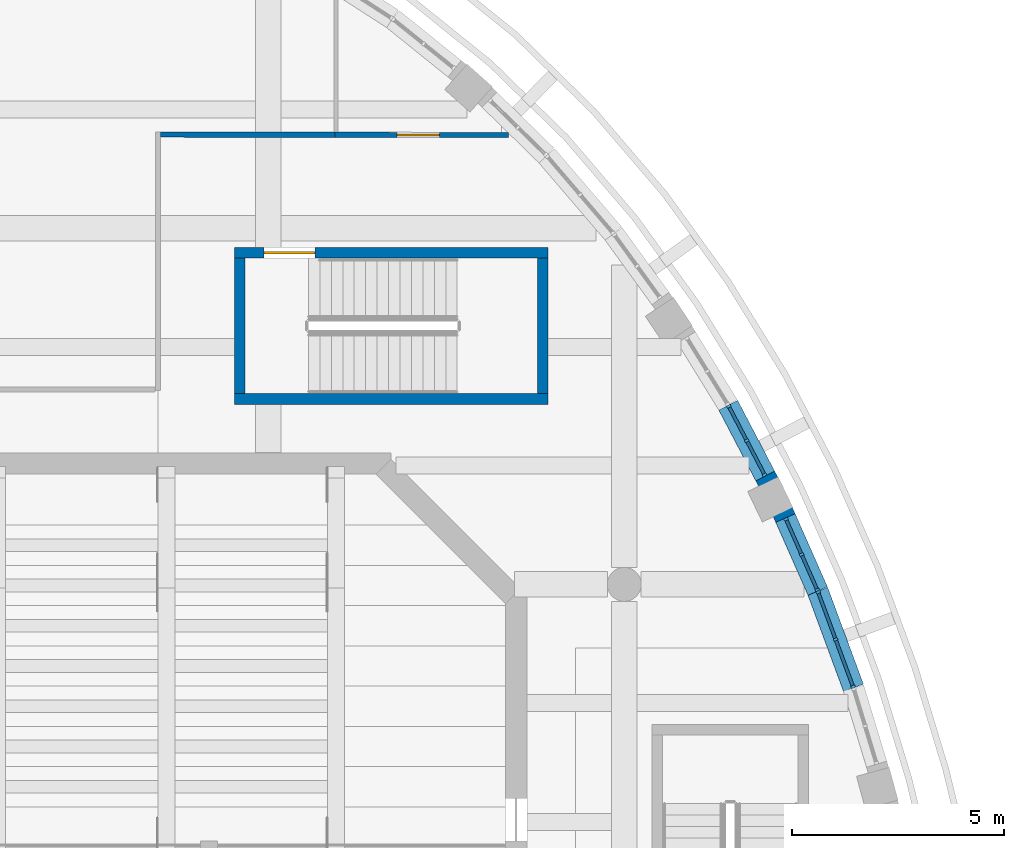
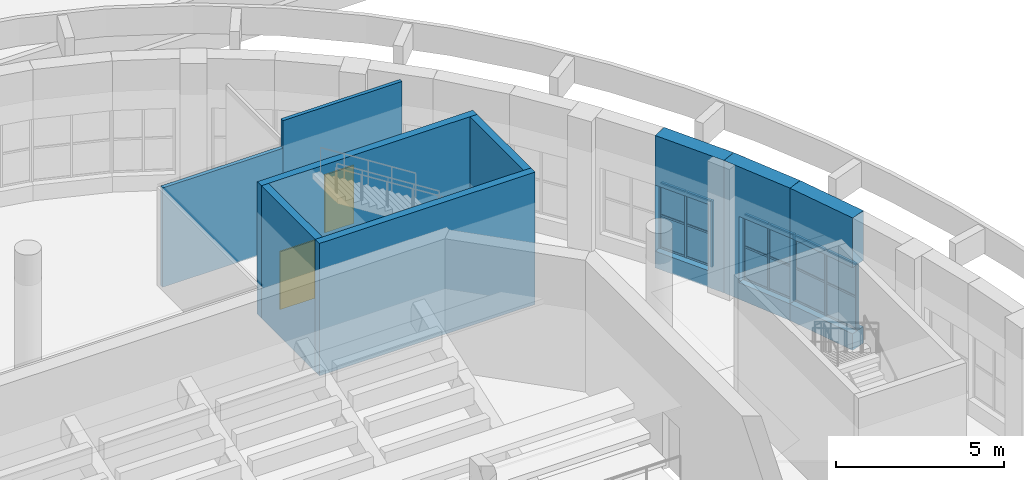
# One storey, part 33 of 79: 27 members, 12 plates, 9 walls, 2 doors, 5 openings, 3 elements without a shape of their own.
"""IFC4 building model written with IfcOpenShell, lengths in metres."""

import ifcopenshell
import ifcopenshell.guid

model = None  # the IFC model being written
_history = None  # IfcOwnerHistory: only IFC2X3 demands one
_inside = {}  # id of a spatial element -> (the spatial element, [elements in it])
_under = {}  # id of a project, library or spatial element -> (it, [spatial elements below it])
_declared = {}  # id of a project -> (the project, [libraries it declares])
_typed = {}  # id of a type object -> (the type object, [elements of that type])
_made_of = {}  # id of a material, layer set ... -> (it, [elements and type objects made of it])


def new_model(schema):
    """Start an empty IFC model of exactly this schema.

    Asked for "IFC4X3", IfcOpenShell would pick the latest addendum, in which some entities
    have other attributes; the version numbers below select the first issue.
    IFC2X3 requires an IfcOwnerHistory on every rooted entity: one is made here for all.
    """
    global model, _history
    if schema == "IFC4X3":
        model = ifcopenshell.file(schema_version=(4, 3, 0, 0))
    else:
        model = ifcopenshell.file(schema=schema)
    _inside.clear()
    _under.clear()
    _declared.clear()
    _typed.clear()
    _made_of.clear()
    _history = None
    if model.schema == "IFC2X3":
        org = make("IfcOrganization", Name="unknown")
        user = make(
            "IfcPersonAndOrganization",
            ThePerson=make("IfcPerson", FamilyName="unknown"),
            TheOrganization=org,
        )
        app = make(
            "IfcApplication",
            ApplicationDeveloper=org,
            Version="unknown",
            ApplicationFullName="unknown",
            ApplicationIdentifier="unknown",
        )
        _history = make(
            "IfcOwnerHistory",
            OwningUser=user,
            OwningApplication=app,
            ChangeAction="ADDED",
            CreationDate=0,
        )
    return model


def make(cls, **values):
    """One entity of the class cls with the attributes given. An attribute that is None is left unset."""
    return model.create_entity(
        cls, **{name: value for name, value in values.items() if value is not None}
    )


def rooted(cls, **values):
    """An entity with a GlobalId (a new one), such as an element, a storey or a relation."""
    return make(cls, GlobalId=ifcopenshell.guid.new(), OwnerHistory=_history, **values)


def si_unit(unit_type, name, prefix=None):
    """IfcSIUnit, for example si_unit("LENGTHUNIT", "METRE", prefix="MILLI")."""
    return make("IfcSIUnit", UnitType=unit_type, Prefix=prefix, Name=name)


def assignment(units):
    """IfcUnitAssignment: the units of a project."""
    return None if units is None else make("IfcUnitAssignment", Units=units)


def point(xyz):
    """IfcCartesianPoint."""
    return None if xyz is None else make("IfcCartesianPoint", Coordinates=xyz)


def direction(xyz):
    """IfcDirection."""
    return None if xyz is None else make("IfcDirection", DirectionRatios=xyz)


def frame(location, z_axis=None, x_axis=None):
    """IfcAxis2Placement3D, a coordinate frame: its origin and axes. An axis left out is left unset."""
    return make(
        "IfcAxis2Placement3D",
        Location=point(location),
        Axis=direction(z_axis),
        RefDirection=direction(x_axis),
    )


def frame_2d(location, x_axis=None):
    """IfcAxis2Placement2D, a coordinate frame in the plane: its origin and x axis."""
    return make(
        "IfcAxis2Placement2D", Location=point(location), RefDirection=direction(x_axis)
    )


def origin():
    """The frame at (0, 0, 0) with its axes left unset."""
    return frame((0.0, 0.0, 0.0))


def origin_2d():
    """The frame at (0, 0) in the plane with its x axis left unset."""
    return frame_2d((0.0, 0.0))


def place(relative_to, where):
    """IfcLocalPlacement: puts the frame where relative to a parent placement (None: the world)."""
    return make(
        "IfcLocalPlacement", PlacementRelTo=relative_to, RelativePlacement=where
    )


def context(
    kind, dimensions, precision=None, world=None, true_north=None, identifier=None
):
    """IfcGeometricRepresentationContext, for example the 3D "Model" context."""
    return make(
        "IfcGeometricRepresentationContext",
        ContextIdentifier=identifier,
        ContextType=kind,
        CoordinateSpaceDimension=dimensions,
        Precision=precision,
        WorldCoordinateSystem=world,
        TrueNorth=true_north,
    )


def subcontext(parent, identifier, kind, view, scale=None):
    """IfcGeometricRepresentationSubContext, for example "Body" below "Model"."""
    return make(
        "IfcGeometricRepresentationSubContext",
        ContextIdentifier=identifier,
        ContextType=kind,
        ParentContext=parent,
        TargetScale=scale,
        TargetView=view,
    )


def project(units=None, contexts=None):
    """IfcProject with its units and contexts."""
    return rooted(
        "IfcProject",
        Name="project",
        RepresentationContexts=contexts,
        UnitsInContext=assignment(units),
    )


def spatial(cls, under=None, at=None, **own):
    """A site, building, storey or space (cls), placed at a placement, below another one or the project."""
    s = rooted(cls, ObjectPlacement=at, **own)
    if under is not None:
        _under.setdefault(under.id(), (under, []))[1].append(s)
    return s


def profile(cls, at=None, kind="AREA", **sizes):
    """A parametric profile (cls). Its sizes go by their IFC names, for example OverallWidth=200.0."""
    return make(cls, ProfileType=kind, Position=at, **sizes)


def rectangle(**sizes):
    """IfcRectangleProfileDef."""
    return profile("IfcRectangleProfileDef", **sizes)


def extrude(swept, where, along, depth):
    """IfcExtrudedAreaSolid: the profile swept, set in the frame where, extruded along a direction by depth."""
    return make(
        "IfcExtrudedAreaSolid",
        SweptArea=swept,
        Position=where,
        ExtrudedDirection=direction(along),
        Depth=depth,
    )


def shape(context_of_items, identifier, shape_type, items):
    """IfcShapeRepresentation: the items that make up one representation, for example the "Body"."""
    return make(
        "IfcShapeRepresentation",
        ContextOfItems=context_of_items,
        RepresentationIdentifier=identifier,
        RepresentationType=shape_type,
        Items=items,
    )


def material(Name=None, Category=None):
    """IfcMaterial."""
    return make("IfcMaterial", Name=Name, Category=Category)


def layer(
    of_material, thickness, ventilated=None, Name=None, Category=None, Priority=None
):
    """IfcMaterialLayer: one layer of a wall or slab, of a material (None: an air gap)."""
    return make(
        "IfcMaterialLayer",
        Material=of_material,
        LayerThickness=thickness,
        IsVentilated=ventilated,
        Name=Name,
        Category=Category,
        Priority=Priority,
    )


def layer_set(layers, Name=None):
    """IfcMaterialLayerSet."""
    return make("IfcMaterialLayerSet", MaterialLayers=layers, LayerSetName=Name)


def material_profile(
    of_material, cross_section, Name=None, Category=None, Priority=None
):
    """IfcMaterialProfile: a cross section and its material."""
    return make(
        "IfcMaterialProfile",
        Name=Name,
        Material=of_material,
        Profile=cross_section,
        Priority=Priority,
        Category=Category,
    )


def profile_set(profiles, Name=None, composite=None):
    """IfcMaterialProfileSet."""
    return make(
        "IfcMaterialProfileSet",
        Name=Name,
        MaterialProfiles=profiles,
        CompositeProfile=composite,
    )


def made_of(thing, what):
    """Note that an element or type object is made of a material, layer set ...; save() writes the relation."""
    if what is not None:
        _made_of.setdefault(what.id(), (what, []))[1].append(thing)
    return thing


def type_object(cls, material=None, **own):
    """A type object (cls), such as IfcWallType, which elements share."""
    return made_of(rooted(cls, **own), material)


def element(
    cls,
    number,
    at=None,
    inside=None,
    cuts=None,
    type_object=None,
    material=None,
    context=None,
    identifier="Body",
    shape_type=None,
    held_by="IfcProductDefinitionShape",
    body=None,
    shapes=None,
    **own,
):
    """One element of the class cls, such as IfcWall. Its Tag is "e" and its number.

    at: its placement. inside: the storey or other place that contains it. cuts: it is an
    opening in that element (IfcRelVoidsElement). A single representation is given by context,
    identifier, shape_type and body (its items); several are given by shapes. held_by: the class
    of the entity that holds the representations. save() writes the other relations.
    """
    e = rooted(cls, Tag="e%d" % number, ObjectPlacement=at, **own)
    if body is not None:
        shapes = [shape(context, identifier, shape_type, body)]
    if shapes is not None:
        e.Representation = make(held_by, Representations=shapes)
    if inside is not None:
        _inside.setdefault(inside.id(), (inside, []))[1].append(e)
    if cuts is not None:
        rooted(
            "IfcRelVoidsElement", RelatingBuildingElement=cuts, RelatedOpeningElement=e
        )
    if type_object is not None:
        _typed.setdefault(type_object.id(), (type_object, []))[1].append(e)
    return made_of(e, material)


def fill(opening, filler):
    """IfcRelFillsElement: the door or window that sits in an opening."""
    return rooted(
        "IfcRelFillsElement",
        RelatingOpeningElement=opening,
        RelatedBuildingElement=filler,
    )


def aggregate(whole, parts):
    """IfcRelAggregates: a whole, such as a stair, and the parts it consists of."""
    return rooted("IfcRelAggregates", RelatingObject=whole, RelatedObjects=parts)


def save(model, path):
    """Write the relations noted so far, then the file.

    IfcRelAggregates (storeys below a building ...), IfcRelContainedInSpatialStructure (elements
    in a storey), IfcRelDefinesByType, IfcRelAssociatesMaterial and IfcRelDeclares: one each for
    every whole, place, type object, material and project.
    """
    for whole, parts in _under.values():
        aggregate(whole, parts)
    for where, things in _inside.values():
        rooted(
            "IfcRelContainedInSpatialStructure",
            RelatedElements=things,
            RelatingStructure=where,
        )
    for kind, things in _typed.values():
        rooted("IfcRelDefinesByType", RelatedObjects=things, RelatingType=kind)
    for what, things in _made_of.values():
        rooted("IfcRelAssociatesMaterial", RelatedObjects=things, RelatingMaterial=what)
    for by, libraries in _declared.values():
        rooted("IfcRelDeclares", RelatingContext=by, RelatedDefinitions=libraries)
    model.write(path)


model = new_model("IFC4")

# Units and contexts
model_context = context("Model", 3, precision=1e-05, world=origin(), true_north=direction((0.0, 1.0)))
body_context = subcontext(model_context, "Body", "Model", "MODEL_VIEW")
ifc_project = project(units=[si_unit("LENGTHUNIT", "METRE"), si_unit("AREAUNIT", "SQUARE_METRE"), si_unit("VOLUMEUNIT", "CUBIC_METRE"), si_unit("PLANEANGLEUNIT", "RADIAN"), si_unit("MASSUNIT", "GRAM", prefix="KILO")], contexts=[model_context])

# Site, building, storey
site_placement = place(None, origin())
site = spatial("IfcSite", under=ifc_project, at=site_placement, CompositionType="ELEMENT")
building_placement = place(site_placement, origin())
building = spatial("IfcBuilding", under=site, at=building_placement, Name="Larchfold Concert Hall", CompositionType="ELEMENT")
storey_placement = place(building_placement, frame((0.0, 0.0, 14.39990234375)))
storey = spatial("IfcBuildingStorey", under=building, at=storey_placement, Name="L03", CompositionType="ELEMENT", Elevation=14.39990234375)

# Curtain wall, members
ifc_material_1 = material(Name="Anodised graphite aluminium curtain wall", Category="aluminium")
ifc_layer_1 = layer(ifc_material_1, 0.10009765625)
ifc_layer_set_1 = layer_set([ifc_layer_1], Name="Anodised graphite aluminium curtain wall")
curtain_wall_type = type_object("IfcCurtainWallType", Name="Curtain wall GB", PredefinedType="NOTDEFINED", material=ifc_layer_set_1)
curtain_wall_1_placement = place(storey_placement, origin())
curtain_wall_1 = element("IfcCurtainWall", 1, at=curtain_wall_1_placement, inside=storey, type_object=curtain_wall_type, Name="Curtain wall CW0007", PredefinedType="NOTDEFINED")
ifc_material_2 = material(Name="Anodised graphite aluminium mullion", Category="aluminium")
ifc_material_profile_1 = material_profile(ifc_material_2, rectangle(XDim=0.10009765625, YDim=0.06005859375, at=origin_2d()))
ifc_profile_set_1 = profile_set([ifc_material_profile_1], Name="Anodised graphite aluminium mullion")
member_type_1 = type_object("IfcMemberType", Name="Aluminium mullion 60x100", PredefinedType="MULLION", material=ifc_profile_set_1)
member_1_placement = place(storey_placement, frame((64.797119140625, 98.98828125, 0.60009765625), z_axis=(0.0, 0.0, 1.0), x_axis=(-0.938020731577, -0.34657914988, 0.0)))
member_1 = element("IfcMember", 2, at=member_1_placement, type_object=member_type_1, Name="CW0007 mullion 1", PredefinedType="MULLION", context=body_context, shape_type="SweptSolid", body=[
    extrude(rectangle(XDim=0.10009765625, YDim=0.06005859375, at=origin_2d()), origin(), (0.0, 0.0, 1.0), 2.39990234375),
])
member_2_placement = place(storey_placement, frame((64.385986328125, 100.1015625, 0.60009765625), z_axis=(0.0, 0.0, 1.0), x_axis=(-0.938020731577, -0.34657914988, 0.0)))
member_2 = element("IfcMember", 3, at=member_2_placement, type_object=member_type_1, Name="CW0007 mullion 2", PredefinedType="MULLION", context=body_context, shape_type="SweptSolid", body=[
    extrude(rectangle(XDim=0.10009765625, YDim=0.06005859375, at=origin_2d()), origin(), (0.0, 0.0, 1.0), 2.39990234375),
])
member_3_placement = place(storey_placement, frame((63.974609375, 101.215087890625, 0.60009765625), z_axis=(0.0, 0.0, 1.0), x_axis=(-0.938020731577, -0.34657914988, 0.0)))
member_3 = element("IfcMember", 4, at=member_3_placement, type_object=member_type_1, Name="CW0007 mullion 3", PredefinedType="MULLION", context=body_context, shape_type="SweptSolid", body=[
    extrude(rectangle(XDim=0.10009765625, YDim=0.06005859375, at=origin_2d()), origin(), (0.0, 0.0, 1.0), 2.39990234375),
])

curtain_wall_2_placement = place(storey_placement, origin())
curtain_wall_2 = element("IfcCurtainWall", 5, at=curtain_wall_2_placement, inside=storey, type_object=curtain_wall_type, Name="Curtain wall CW0008", PredefinedType="NOTDEFINED")
member_4_placement = place(storey_placement, frame((63.951904296875, 101.2705078125, 0.60009765625), z_axis=(0.0, 0.0, 1.0), x_axis=(-0.914744543538, -0.40403269678, 0.0)))
member_4 = element("IfcMember", 6, at=member_4_placement, type_object=member_type_1, Name="CW0008 mullion 1", PredefinedType="MULLION", context=body_context, shape_type="SweptSolid", body=[
    extrude(rectangle(XDim=0.10009765625, YDim=0.06005859375, at=origin_2d()), origin(), (0.0, 0.0, 1.0), 2.39990234375),
])
member_5_placement = place(storey_placement, frame((63.58349609375, 102.104736328125, 0.60009765625), z_axis=(0.0, 0.0, 1.0), x_axis=(-0.914744543538, -0.40403269678, 0.0)))
member_5 = element("IfcMember", 7, at=member_5_placement, type_object=member_type_1, Name="CW0008 mullion 2", PredefinedType="MULLION", context=body_context, shape_type="SweptSolid", body=[
    extrude(rectangle(XDim=0.10009765625, YDim=0.06005859375, at=origin_2d()), origin(), (0.0, 0.0, 1.0), 2.39990234375),
])
member_6_placement = place(storey_placement, frame((63.21533203125, 102.938720703125, 0.60009765625), z_axis=(0.0, 0.0, 1.0), x_axis=(-0.914744543538, -0.40403269678, 0.0)))
member_6 = element("IfcMember", 8, at=member_6_placement, type_object=member_type_1, Name="CW0008 mullion 3", PredefinedType="MULLION", context=body_context, shape_type="SweptSolid", body=[
    extrude(rectangle(XDim=0.10009765625, YDim=0.06005859375, at=origin_2d()), origin(), (0.0, 0.0, 1.0), 2.39990234375),
])

curtain_wall_3_placement = place(storey_placement, origin())
curtain_wall_3 = element("IfcCurtainWall", 9, at=curtain_wall_3_placement, inside=storey, type_object=curtain_wall_type, Name="Curtain wall CW0009", PredefinedType="NOTDEFINED")
member_7_placement = place(storey_placement, frame((62.7119140625, 103.983642578125, 0.60009765625), z_axis=(0.0, 0.0, 1.0), x_axis=(-0.886272610614, -0.463163966296, 0.0)))
member_7 = element("IfcMember", 10, at=member_7_placement, type_object=member_type_1, Name="CW0009 mullion 1", PredefinedType="MULLION", context=body_context, shape_type="SweptSolid", body=[
    extrude(rectangle(XDim=0.10009765625, YDim=0.06005859375, at=origin_2d()), origin(), (0.0, 0.0, 1.0), 2.39990234375),
])
member_8_placement = place(storey_placement, frame((62.289794921875, 104.791748046875, 0.60009765625), z_axis=(0.0, 0.0, 1.0), x_axis=(-0.886272610614, -0.463163966296, 0.0)))
member_8 = element("IfcMember", 11, at=member_8_placement, type_object=member_type_1, Name="CW0009 mullion 2", PredefinedType="MULLION", context=body_context, shape_type="SweptSolid", body=[
    extrude(rectangle(XDim=0.10009765625, YDim=0.06005859375, at=origin_2d()), origin(), (0.0, 0.0, 1.0), 2.39990234375),
])
member_9_placement = place(storey_placement, frame((61.867431640625, 105.599609375, 0.60009765625), z_axis=(0.0, 0.0, 1.0), x_axis=(-0.886272610614, -0.463163966296, 0.0)))
member_9 = element("IfcMember", 12, at=member_9_placement, type_object=member_type_1, Name="CW0009 mullion 3", PredefinedType="MULLION", context=body_context, shape_type="SweptSolid", body=[
    extrude(rectangle(XDim=0.10009765625, YDim=0.06005859375, at=origin_2d()), origin(), (0.0, 0.0, 1.0), 2.39990234375),
])

# Member
ifc_material_3 = material(Name="Anodised graphite aluminium transom", Category="aluminium")
ifc_material_profile_2 = material_profile(ifc_material_3, rectangle(XDim=0.080078125, YDim=0.06005859375, at=origin_2d()))
ifc_profile_set_2 = profile_set([ifc_material_profile_2], Name="Anodised graphite aluminium transom")
member_type_2 = type_object("IfcMemberType", Name="Aluminium transom 60x80", PredefinedType="USERDEFINED", material=ifc_profile_set_2)
member_10_placement = place(storey_placement, frame((64.786865234375, 99.0166015625, 0.630126953125), z_axis=(-0.34667915076, 0.937983777274, 0.0), x_axis=(-0.937983777274, -0.34667915076, 0.0)))
member_10 = element("IfcMember", 13, at=member_10_placement, type_object=member_type_2, Name="CW0007 transom 1.1", ObjectType="TRANSOM", PredefinedType="USERDEFINED", context=body_context, shape_type="SweptSolid", body=[
    extrude(rectangle(XDim=0.080078125, YDim=0.06005859375, at=origin_2d()), origin(), (0.0, 0.0, 1.0), 1.126708984375),
])

member_11_placement = place(storey_placement, frame((64.786865234375, 99.0166015625, 1.800048828125), z_axis=(-0.34667915076, 0.937983777274, 0.0), x_axis=(-0.937983777274, -0.34667915076, 0.0)))
member_11 = element("IfcMember", 14, at=member_11_placement, type_object=member_type_2, Name="CW0007 transom 1.2", ObjectType="TRANSOM", PredefinedType="USERDEFINED", context=body_context, shape_type="SweptSolid", body=[
    extrude(rectangle(XDim=0.080078125, YDim=0.06005859375, at=origin_2d()), origin(), (0.0, 0.0, 1.0), 1.126708984375),
])

member_12_placement = place(storey_placement, frame((64.786865234375, 99.0166015625, 2.969970703125), z_axis=(-0.34667915076, 0.937983777274, 0.0), x_axis=(-0.937983777274, -0.34667915076, 0.0)))
member_12 = element("IfcMember", 15, at=member_12_placement, type_object=member_type_2, Name="CW0007 transom 1.3", ObjectType="TRANSOM", PredefinedType="USERDEFINED", context=body_context, shape_type="SweptSolid", body=[
    extrude(rectangle(XDim=0.080078125, YDim=0.06005859375, at=origin_2d()), origin(), (0.0, 0.0, 1.0), 1.126708984375),
])

member_13_placement = place(storey_placement, frame((64.37548828125, 100.1298828125, 0.630126953125), z_axis=(-0.34667915076, 0.937983777274, 0.0), x_axis=(-0.937983777274, -0.34667915076, 0.0)))
member_13 = element("IfcMember", 16, at=member_13_placement, type_object=member_type_2, Name="CW0007 transom 2.1", ObjectType="TRANSOM", PredefinedType="USERDEFINED", context=body_context, shape_type="SweptSolid", body=[
    extrude(rectangle(XDim=0.080078125, YDim=0.06005859375, at=origin_2d()), origin(), (0.0, 0.0, 1.0), 1.126708984375),
])

member_14_placement = place(storey_placement, frame((64.37548828125, 100.1298828125, 1.800048828125), z_axis=(-0.34667915076, 0.937983777274, 0.0), x_axis=(-0.937983777274, -0.34667915076, 0.0)))
member_14 = element("IfcMember", 17, at=member_14_placement, type_object=member_type_2, Name="CW0007 transom 2.2", ObjectType="TRANSOM", PredefinedType="USERDEFINED", context=body_context, shape_type="SweptSolid", body=[
    extrude(rectangle(XDim=0.080078125, YDim=0.06005859375, at=origin_2d()), origin(), (0.0, 0.0, 1.0), 1.126708984375),
])

member_15_placement = place(storey_placement, frame((64.37548828125, 100.1298828125, 2.969970703125), z_axis=(-0.34667915076, 0.937983777274, 0.0), x_axis=(-0.937983777274, -0.34667915076, 0.0)))
member_15 = element("IfcMember", 18, at=member_15_placement, type_object=member_type_2, Name="CW0007 transom 2.3", ObjectType="TRANSOM", PredefinedType="USERDEFINED", context=body_context, shape_type="SweptSolid", body=[
    extrude(rectangle(XDim=0.080078125, YDim=0.06005859375, at=origin_2d()), origin(), (0.0, 0.0, 1.0), 1.126708984375),
])

member_16_placement = place(storey_placement, frame((63.93994140625, 101.298095703125, 0.630126953125), z_axis=(-0.404169425569, 0.914684139709, 0.0), x_axis=(-0.914684139709, -0.404169425569, 0.0)))
member_16 = element("IfcMember", 19, at=member_16_placement, type_object=member_type_2, Name="CW0008 transom 1.1", ObjectType="TRANSOM", PredefinedType="USERDEFINED", context=body_context, shape_type="SweptSolid", body=[
    extrude(rectangle(XDim=0.080078125, YDim=0.06005859375, at=origin_2d()), origin(), (0.0, 0.0, 1.0), 0.851806640625),
])

member_17_placement = place(storey_placement, frame((63.93994140625, 101.298095703125, 1.800048828125), z_axis=(-0.404169425569, 0.914684139709, 0.0), x_axis=(-0.914684139709, -0.404169425569, 0.0)))
member_17 = element("IfcMember", 20, at=member_17_placement, type_object=member_type_2, Name="CW0008 transom 1.2", ObjectType="TRANSOM", PredefinedType="USERDEFINED", context=body_context, shape_type="SweptSolid", body=[
    extrude(rectangle(XDim=0.080078125, YDim=0.06005859375, at=origin_2d()), origin(), (0.0, 0.0, 1.0), 0.851806640625),
])

member_18_placement = place(storey_placement, frame((63.93994140625, 101.298095703125, 2.969970703125), z_axis=(-0.404169425569, 0.914684139709, 0.0), x_axis=(-0.914684139709, -0.404169425569, 0.0)))
member_18 = element("IfcMember", 21, at=member_18_placement, type_object=member_type_2, Name="CW0008 transom 1.3", ObjectType="TRANSOM", PredefinedType="USERDEFINED", context=body_context, shape_type="SweptSolid", body=[
    extrude(rectangle(XDim=0.080078125, YDim=0.06005859375, at=origin_2d()), origin(), (0.0, 0.0, 1.0), 0.851806640625),
])

member_19_placement = place(storey_placement, frame((63.571533203125, 102.132080078125, 0.630126953125), z_axis=(-0.404169425569, 0.914684139709, 0.0), x_axis=(-0.914684139709, -0.404169425569, 0.0)))
member_19 = element("IfcMember", 22, at=member_19_placement, type_object=member_type_2, Name="CW0008 transom 2.1", ObjectType="TRANSOM", PredefinedType="USERDEFINED", context=body_context, shape_type="SweptSolid", body=[
    extrude(rectangle(XDim=0.080078125, YDim=0.06005859375, at=origin_2d()), origin(), (0.0, 0.0, 1.0), 0.851806640625),
])

member_20_placement = place(storey_placement, frame((63.571533203125, 102.132080078125, 1.800048828125), z_axis=(-0.404169425569, 0.914684139709, 0.0), x_axis=(-0.914684139709, -0.404169425569, 0.0)))
member_20 = element("IfcMember", 23, at=member_20_placement, type_object=member_type_2, Name="CW0008 transom 2.2", ObjectType="TRANSOM", PredefinedType="USERDEFINED", context=body_context, shape_type="SweptSolid", body=[
    extrude(rectangle(XDim=0.080078125, YDim=0.06005859375, at=origin_2d()), origin(), (0.0, 0.0, 1.0), 0.851806640625),
])

member_21_placement = place(storey_placement, frame((63.571533203125, 102.132080078125, 2.969970703125), z_axis=(-0.404169425569, 0.914684139709, 0.0), x_axis=(-0.914684139709, -0.404169425569, 0.0)))
member_21 = element("IfcMember", 24, at=member_21_placement, type_object=member_type_2, Name="CW0008 transom 2.3", ObjectType="TRANSOM", PredefinedType="USERDEFINED", context=body_context, shape_type="SweptSolid", body=[
    extrude(rectangle(XDim=0.080078125, YDim=0.06005859375, at=origin_2d()), origin(), (0.0, 0.0, 1.0), 0.851806640625),
])

member_22_placement = place(storey_placement, frame((62.697998046875, 104.01025390625, 0.630126953125), z_axis=(-0.463192812603, 0.886257535005, 0.0), x_axis=(-0.886257535005, -0.463192812603, 0.0)))
member_22 = element("IfcMember", 25, at=member_22_placement, type_object=member_type_2, Name="CW0009 transom 1.1", ObjectType="TRANSOM", PredefinedType="USERDEFINED", context=body_context, shape_type="SweptSolid", body=[
    extrude(rectangle(XDim=0.080078125, YDim=0.06005859375, at=origin_2d()), origin(), (0.0, 0.0, 1.0), 0.851806640625),
])

member_23_placement = place(storey_placement, frame((62.697998046875, 104.01025390625, 1.800048828125), z_axis=(-0.463192812603, 0.886257535005, 0.0), x_axis=(-0.886257535005, -0.463192812603, 0.0)))
member_23 = element("IfcMember", 26, at=member_23_placement, type_object=member_type_2, Name="CW0009 transom 1.2", ObjectType="TRANSOM", PredefinedType="USERDEFINED", context=body_context, shape_type="SweptSolid", body=[
    extrude(rectangle(XDim=0.080078125, YDim=0.06005859375, at=origin_2d()), origin(), (0.0, 0.0, 1.0), 0.851806640625),
])

member_24_placement = place(storey_placement, frame((62.697998046875, 104.01025390625, 2.969970703125), z_axis=(-0.463192812603, 0.886257535005, 0.0), x_axis=(-0.886257535005, -0.463192812603, 0.0)))
member_24 = element("IfcMember", 27, at=member_24_placement, type_object=member_type_2, Name="CW0009 transom 1.3", ObjectType="TRANSOM", PredefinedType="USERDEFINED", context=body_context, shape_type="SweptSolid", body=[
    extrude(rectangle(XDim=0.080078125, YDim=0.06005859375, at=origin_2d()), origin(), (0.0, 0.0, 1.0), 0.851806640625),
])

member_25_placement = place(storey_placement, frame((62.27587890625, 104.818115234375, 0.630126953125), z_axis=(-0.463192812603, 0.886257535005, 0.0), x_axis=(-0.886257535005, -0.463192812603, 0.0)))
member_25 = element("IfcMember", 28, at=member_25_placement, type_object=member_type_2, Name="CW0009 transom 2.1", ObjectType="TRANSOM", PredefinedType="USERDEFINED", context=body_context, shape_type="SweptSolid", body=[
    extrude(rectangle(XDim=0.080078125, YDim=0.06005859375, at=origin_2d()), origin(), (0.0, 0.0, 1.0), 0.851806640625),
])

member_26_placement = place(storey_placement, frame((62.27587890625, 104.818115234375, 1.800048828125), z_axis=(-0.463192812603, 0.886257535005, 0.0), x_axis=(-0.886257535005, -0.463192812603, 0.0)))
member_26 = element("IfcMember", 29, at=member_26_placement, type_object=member_type_2, Name="CW0009 transom 2.2", ObjectType="TRANSOM", PredefinedType="USERDEFINED", context=body_context, shape_type="SweptSolid", body=[
    extrude(rectangle(XDim=0.080078125, YDim=0.06005859375, at=origin_2d()), origin(), (0.0, 0.0, 1.0), 0.851806640625),
])

member_27_placement = place(storey_placement, frame((62.27587890625, 104.818115234375, 2.969970703125), z_axis=(-0.463192812603, 0.886257535005, 0.0), x_axis=(-0.886257535005, -0.463192812603, 0.0)))
member_27 = element("IfcMember", 30, at=member_27_placement, type_object=member_type_2, Name="CW0009 transom 2.3", ObjectType="TRANSOM", PredefinedType="USERDEFINED", context=body_context, shape_type="SweptSolid", body=[
    extrude(rectangle(XDim=0.080078125, YDim=0.06005859375, at=origin_2d()), origin(), (0.0, 0.0, 1.0), 0.851806640625),
])

# Plate
ifc_material_4 = material(Name="Insulated glazing unit, glass", Category="glass")
ifc_layer_2 = layer(ifc_material_4, 0.02392578125)
ifc_layer_set_2 = layer_set([ifc_layer_2], Name="Insulated glazing unit, glass")
plate_type_1 = type_object("IfcPlateType", Name="Glass panel 24", PredefinedType="CURTAIN_PANEL", material=ifc_layer_set_2)
plate_1_placement = place(storey_placement, frame((64.591552734375, 99.544921875, 1.830078125), z_axis=(0.0, 0.0, 1.0), x_axis=(-0.34657914988, 0.938020731577, 0.0)))
plate_1 = element("IfcPlate", 31, at=plate_1_placement, type_object=plate_type_1, Name="CW0007 panel 1.2", PredefinedType="CURTAIN_PANEL", context=body_context, shape_type="SweptSolid", body=[
    extrude(rectangle(XDim=1.126953125, YDim=0.02392578125, at=origin_2d()), origin(), (0.0, 0.0, 1.0), 1.10986328125),
])

plate_2_placement = place(storey_placement, frame((64.18017578125, 100.658447265625, 1.830078125), z_axis=(0.0, 0.0, 1.0), x_axis=(-0.34657914988, 0.938020731577, 0.0)))
plate_2 = element("IfcPlate", 32, at=plate_2_placement, type_object=plate_type_1, Name="CW0007 panel 2.2", PredefinedType="CURTAIN_PANEL", context=body_context, shape_type="SweptSolid", body=[
    extrude(rectangle(XDim=1.126953125, YDim=0.02392578125, at=origin_2d()), origin(), (0.0, 0.0, 1.0), 1.10986328125),
])

plate_3_placement = place(storey_placement, frame((63.767822265625, 101.6875, 1.830078125), z_axis=(0.0, 0.0, 1.0), x_axis=(-0.40403269678, 0.914744543538, 0.0)))
plate_3 = element("IfcPlate", 33, at=plate_3_placement, type_object=plate_type_1, Name="CW0008 panel 1.2", PredefinedType="CURTAIN_PANEL", context=body_context, shape_type="SweptSolid", body=[
    extrude(rectangle(XDim=0.851806640625, YDim=0.02392578125, at=origin_2d()), origin(), (0.0, 0.0, 1.0), 1.10986328125),
])

plate_4_placement = place(storey_placement, frame((63.3994140625, 102.521728515625, 1.830078125), z_axis=(0.0, 0.0, 1.0), x_axis=(-0.40403269678, 0.914744543538, 0.0)))
plate_4 = element("IfcPlate", 34, at=plate_4_placement, type_object=plate_type_1, Name="CW0008 panel 2.2", PredefinedType="CURTAIN_PANEL", context=body_context, shape_type="SweptSolid", body=[
    extrude(rectangle(XDim=0.851806640625, YDim=0.02392578125, at=origin_2d()), origin(), (0.0, 0.0, 1.0), 1.10986328125),
])

plate_5_placement = place(storey_placement, frame((62.500732421875, 104.3876953125, 1.830078125), z_axis=(0.0, 0.0, 1.0), x_axis=(-0.463163966296, 0.886272610614, 0.0)))
plate_5 = element("IfcPlate", 35, at=plate_5_placement, type_object=plate_type_1, Name="CW0009 panel 1.2", PredefinedType="CURTAIN_PANEL", context=body_context, shape_type="SweptSolid", body=[
    extrude(rectangle(XDim=0.851806640625, YDim=0.02392578125, at=origin_2d()), origin(), (0.0, 0.0, 1.0), 1.10986328125),
])

plate_6_placement = place(storey_placement, frame((62.07861328125, 105.195556640625, 1.830078125), z_axis=(0.0, 0.0, 1.0), x_axis=(-0.463163966296, 0.886272610614, 0.0)))
plate_6 = element("IfcPlate", 36, at=plate_6_placement, type_object=plate_type_1, Name="CW0009 panel 2.2", PredefinedType="CURTAIN_PANEL", context=body_context, shape_type="SweptSolid", body=[
    extrude(rectangle(XDim=0.851806640625, YDim=0.02392578125, at=origin_2d()), origin(), (0.0, 0.0, 1.0), 1.10986328125),
])

ifc_material_5 = material(Name="White insulated panel")
ifc_layer_3 = layer(ifc_material_5, 0.050048828125)
ifc_layer_set_3 = layer_set([ifc_layer_3], Name="White insulated panel")
plate_type_2 = type_object("IfcPlateType", Name="Insulated spandrel panel 50", PredefinedType="CURTAIN_PANEL", material=ifc_layer_set_3)
plate_7_placement = place(storey_placement, frame((64.591552734375, 99.544921875, 0.66015625), z_axis=(0.0, 0.0, 1.0), x_axis=(-0.34657914988, 0.938020731577, 0.0)))
plate_7 = element("IfcPlate", 37, at=plate_7_placement, type_object=plate_type_2, Name="CW0007 panel 1.1", PredefinedType="CURTAIN_PANEL", context=body_context, shape_type="SweptSolid", body=[
    extrude(rectangle(XDim=1.126953125, YDim=0.050048828125, at=origin_2d()), origin(), (0.0, 0.0, 1.0), 1.10986328125),
])

plate_8_placement = place(storey_placement, frame((64.18017578125, 100.658447265625, 0.66015625), z_axis=(0.0, 0.0, 1.0), x_axis=(-0.34657914988, 0.938020731577, 0.0)))
plate_8 = element("IfcPlate", 38, at=plate_8_placement, type_object=plate_type_2, Name="CW0007 panel 2.1", PredefinedType="CURTAIN_PANEL", context=body_context, shape_type="SweptSolid", body=[
    extrude(rectangle(XDim=1.126953125, YDim=0.050048828125, at=origin_2d()), origin(), (0.0, 0.0, 1.0), 1.10986328125),
])

aggregate(curtain_wall_1, [member_1, member_2, member_3, member_10, member_11, member_12, plate_7, plate_1, member_13, member_14, member_15, plate_8, plate_2])

plate_9_placement = place(storey_placement, frame((63.767822265625, 101.6875, 0.66015625), z_axis=(0.0, 0.0, 1.0), x_axis=(-0.40403269678, 0.914744543538, 0.0)))
plate_9 = element("IfcPlate", 39, at=plate_9_placement, type_object=plate_type_2, Name="CW0008 panel 1.1", PredefinedType="CURTAIN_PANEL", context=body_context, shape_type="SweptSolid", body=[
    extrude(rectangle(XDim=0.851806640625, YDim=0.050048828125, at=origin_2d()), origin(), (0.0, 0.0, 1.0), 1.10986328125),
])

plate_10_placement = place(storey_placement, frame((63.3994140625, 102.521728515625, 0.66015625), z_axis=(0.0, 0.0, 1.0), x_axis=(-0.40403269678, 0.914744543538, 0.0)))
plate_10 = element("IfcPlate", 40, at=plate_10_placement, type_object=plate_type_2, Name="CW0008 panel 2.1", PredefinedType="CURTAIN_PANEL", context=body_context, shape_type="SweptSolid", body=[
    extrude(rectangle(XDim=0.851806640625, YDim=0.050048828125, at=origin_2d()), origin(), (0.0, 0.0, 1.0), 1.10986328125),
])

aggregate(curtain_wall_2, [member_4, member_5, member_6, member_16, member_17, member_18, plate_9, plate_3, member_19, member_20, member_21, plate_10, plate_4])

plate_11_placement = place(storey_placement, frame((62.500732421875, 104.3876953125, 0.66015625), z_axis=(0.0, 0.0, 1.0), x_axis=(-0.463163966296, 0.886272610614, 0.0)))
plate_11 = element("IfcPlate", 41, at=plate_11_placement, type_object=plate_type_2, Name="CW0009 panel 1.1", PredefinedType="CURTAIN_PANEL", context=body_context, shape_type="SweptSolid", body=[
    extrude(rectangle(XDim=0.851806640625, YDim=0.050048828125, at=origin_2d()), origin(), (0.0, 0.0, 1.0), 1.10986328125),
])

plate_12_placement = place(storey_placement, frame((62.07861328125, 105.195556640625, 0.66015625), z_axis=(0.0, 0.0, 1.0), x_axis=(-0.463163966296, 0.886272610614, 0.0)))
plate_12 = element("IfcPlate", 42, at=plate_12_placement, type_object=plate_type_2, Name="CW0009 panel 2.1", PredefinedType="CURTAIN_PANEL", context=body_context, shape_type="SweptSolid", body=[
    extrude(rectangle(XDim=0.851806640625, YDim=0.050048828125, at=origin_2d()), origin(), (0.0, 0.0, 1.0), 1.10986328125),
])

aggregate(curtain_wall_3, [member_7, member_8, member_9, member_22, member_23, member_24, plate_11, plate_5, member_25, member_26, member_27, plate_12, plate_6])

# Wall, opening, door
ifc_material_6 = material(Name="Plasterboard partition on steel studs", Category="steel")
ifc_layer_4 = layer(ifc_material_6, 0.125)
ifc_layer_set_4 = layer_set([ifc_layer_4], Name="Plasterboard partition on steel studs")
wall_type_1 = type_object("IfcWallType", Name="Corridor partition 125 EI 60", PredefinedType="PARTITIONING", material=ifc_layer_set_4)
wall_1_placement = place(storey_placement, frame((52.580078125, 112.006103515625, 0.0), z_axis=(0.0, 0.0, 1.0), x_axis=(0.99999879384, -0.001553164196, 0.0)))
wall_1 = element("IfcWall", 43, at=wall_1_placement, inside=storey, type_object=wall_type_1, Name="Partition IW0004", PredefinedType="PARTITIONING", context=body_context, shape_type="SweptSolid", body=[
    extrude(rectangle(XDim=4.0869140625, YDim=0.125, at=frame_2d((2.04345703125, 0.0))), origin(), (0.0, 0.0, 1.0), 4.60009765625),
])
opening_1_placement = place(wall_1_placement, frame((1.457275390625, 0.0, 0.0)))
opening_1 = element("IfcOpeningElement", 44, at=opening_1_placement, cuts=wall_1, Name="Opening D-L03-104", PredefinedType="OPENING", context=body_context, shape_type="SweptSolid", body=[
    extrude(rectangle(XDim=1.0, YDim=2.10009765625, at=frame_2d((0.5, 1.050048828125))), frame((0.0, 0.072509765625, 0.0), z_axis=(0.0, -1.0, 0.0), x_axis=(1.0, 0.0, 0.0)), (0.0, 0.0, 1.0), 0.14501953125),
])
ifc_material_7 = material(Name="Timber door leaf", Category="wood")
door_type_1 = type_object("IfcDoorType", Name="Accessible WC door 1000 x 2100 FD30S", OperationType="SINGLE_SWING_LEFT", PredefinedType="DOOR", material=ifc_material_7)
door_1_placement = place(opening_1_placement, origin())
door_1 = element("IfcDoor", 45, at=door_1_placement, inside=storey, type_object=door_type_1, Name="Door D-L03-104", OperationType="SINGLE_SWING_LEFT", OverallHeight=2.10009765625, OverallWidth=1.0, PredefinedType="DOOR", context=body_context, shape_type="SweptSolid", body=[
    extrude(rectangle(XDim=1.0, YDim=2.10009765625, at=frame_2d((0.5, 1.050048828125))), frame((0.0, 0.02490234375, 0.0), z_axis=(0.0, -1.0, 0.0), x_axis=(1.0, 0.0, 0.0)), (0.0, 0.0, 1.0), 0.050048828125),
])
fill(opening_1, door_1)

# Walls
wall_2_placement = place(storey_placement, frame((48.46142578125, 112.011962890625, 0.0), z_axis=(0.0, 0.0, 1.0), x_axis=(0.999998988044, -0.001422642307, 0.0)))
element("IfcWall", 46, at=wall_2_placement, inside=storey, type_object=wall_type_1, Name="Partition IW0006", PredefinedType="PARTITIONING", context=body_context, shape_type="SweptSolid", body=[
    extrude(rectangle(XDim=4.11865234375, YDim=0.125, at=frame_2d((2.059326171875, 0.0))), origin(), (0.0, 0.0, 1.0), 3.60009765625),
])
ifc_material_8 = material(Name="Concrete C40/50", Category="concrete")
ifc_layer_5 = layer(ifc_material_8, 0.25)
ifc_layer_set_5 = layer_set([ifc_layer_5], Name="Concrete C40/50")
wall_type_2 = type_object("IfcWallType", Name="Wall RC 250 stair core", PredefinedType="SOLIDWALL", material=ifc_layer_set_5)
wall_3_placement = place(storey_placement, frame((50.199951171875, 105.77490234375, 0.0), z_axis=(0.0, 0.0, 1.0), x_axis=(1.0, 0.0, 0.0)))
element("IfcWall", 47, at=wall_3_placement, inside=storey, type_object=wall_type_2, Name="Wall W0034", PredefinedType="SOLIDWALL", context=body_context, shape_type="SweptSolid", body=[
    extrude(rectangle(XDim=7.400146484375, YDim=0.25, at=frame_2d((3.7001953125, 0.0))), origin(), (0.0, 0.0, 1.0), 4.800048828125),
])

# Wall, opening, door
wall_4_placement = place(storey_placement, frame((50.199951171875, 109.22509765625, 0.0), z_axis=(0.0, 0.0, 1.0), x_axis=(1.0, 0.0, 0.0)))
wall_4 = element("IfcWall", 48, at=wall_4_placement, inside=storey, type_object=wall_type_2, Name="Wall W0035", PredefinedType="SOLIDWALL", context=body_context, shape_type="SweptSolid", body=[
    extrude(rectangle(XDim=7.400146484375, YDim=0.25, at=frame_2d((3.7001953125, 0.0))), origin(), (0.0, 0.0, 1.0), 4.800048828125),
])
opening_2_placement = place(wall_4_placement, frame((0.700439453125, 0.0, 0.0)))
opening_2 = element("IfcOpeningElement", 49, at=opening_2_placement, cuts=wall_4, Name="Opening D-L03-136", PredefinedType="OPENING", context=body_context, shape_type="SweptSolid", body=[
    extrude(rectangle(XDim=1.199951171875, YDim=2.10009765625, at=frame_2d((0.60009765625, 1.050048828125))), frame((0.0, 0.135009765625, 0.0), z_axis=(0.0, -1.0, 0.0), x_axis=(1.0, 0.0, 0.0)), (0.0, 0.0, 1.0), 0.27001953125),
])
ifc_material_9 = material(Name="Timber door leaf", Category="wood")
door_type_2 = type_object("IfcDoorType", Name="Stair enclosure door pair 1200 x 2100 FD60", OperationType="SINGLE_SWING_LEFT", PredefinedType="DOOR", material=ifc_material_9)
door_2_placement = place(opening_2_placement, origin())
door_2 = element("IfcDoor", 50, at=door_2_placement, inside=storey, type_object=door_type_2, Name="Door D-L03-136", OperationType="DOUBLE_DOOR_SINGLE_SWING", OverallHeight=2.10009765625, OverallWidth=1.199951171875, PredefinedType="DOOR", context=body_context, shape_type="SweptSolid", body=[
    extrude(rectangle(XDim=1.199951171875, YDim=2.10009765625, at=frame_2d((0.60009765625, 1.050048828125))), frame((0.0, 0.02490234375, 0.0), z_axis=(0.0, -1.0, 0.0), x_axis=(1.0, 0.0, 0.0)), (0.0, 0.0, 1.0), 0.050048828125),
])
fill(opening_2, door_2)

# Walls
for number, where, z_axis, x_axis, name in (
    (51, (50.324951171875, 105.89990234375, 0.0), (0.0, 0.0, 1.0), (0.0, 1.0, 0.0), "Wall W0036"),
    (52, (57.47509765625, 105.89990234375, 0.0), (0.0, 0.0, 1.0), (0.0, 1.0, 0.0), "Wall W0037"),
):
    element("IfcWall", number, at=place(storey_placement, frame(where, z_axis=z_axis, x_axis=x_axis)), inside=storey, type_object=wall_type_2, Name=name, PredefinedType="SOLIDWALL", context=body_context, shape_type="SweptSolid", body=[
        extrude(rectangle(XDim=3.2001953125, YDim=0.25, at=frame_2d((1.60009765625, 0.0))), origin(), (0.0, 0.0, 1.0), 4.800048828125),
    ])

# Wall, opening
ifc_material_10 = material(Name="Concrete C30/37", Category="concrete")
ifc_layer_6 = layer(ifc_material_10, 0.5)
ifc_layer_set_6 = layer_set([ifc_layer_6], Name="Concrete C30/37")
wall_type_3 = type_object("IfcWallType", Name="Wall RC 500 drum facade", PredefinedType="SOLIDWALL", material=ifc_layer_set_6)
wall_5_placement = place(storey_placement, frame((64.8076171875, 98.960205078125, 0.0), z_axis=(0.0, 0.0, 1.0), x_axis=(-0.346579149604, 0.938020731679, 0.0)))
wall_5 = element("IfcWall", 53, at=wall_5_placement, inside=storey, type_object=wall_type_3, Name="Wall DW007", PredefinedType="SOLIDWALL", context=body_context, shape_type="SweptSolid", body=[
    extrude(rectangle(XDim=2.433837890625, YDim=0.5, at=frame_2d((1.216796875, 0.0))), origin(), (0.0, 0.0, 1.0), 4.800048828125),
])
opening_3_placement = place(wall_5_placement, frame((0.0, 0.0, 0.60009765625)))
opening_3 = element("IfcOpeningElement", 54, at=opening_3_placement, cuts=wall_5, Name="Opening CW0007", PredefinedType="OPENING", context=body_context, shape_type="SweptSolid", body=[
    extrude(rectangle(XDim=2.433837890625, YDim=2.39990234375, at=frame_2d((1.216796875, 1.199951171875))), frame((0.0, 0.260009765625, 0.0), z_axis=(0.0, -1.0, 0.0), x_axis=(1.0, 0.0, 0.0)), (0.0, 0.0, 1.0), 0.52001953125),
])

fill(opening_3, curtain_wall_1)

wall_6_placement = place(storey_placement, frame((63.964111328125, 101.2431640625, 0.0), z_axis=(0.0, 0.0, 1.0), x_axis=(-0.404089673612, 0.914719375371, 0.0)))
wall_6 = element("IfcWall", 55, at=wall_6_placement, inside=storey, type_object=wall_type_3, Name="Wall DW008", PredefinedType="SOLIDWALL", context=body_context, shape_type="SweptSolid", body=[
    extrude(rectangle(XDim=2.43359375, YDim=0.5, at=frame_2d((1.216796875, 0.0))), origin(), (0.0, 0.0, 1.0), 4.800048828125),
])
opening_4_placement = place(wall_6_placement, frame((0.0, 0.0, 0.60009765625)))
opening_4 = element("IfcOpeningElement", 56, at=opening_4_placement, cuts=wall_6, Name="Opening CW0008", PredefinedType="OPENING", context=body_context, shape_type="SweptSolid", body=[
    extrude(rectangle(XDim=1.883544921875, YDim=2.39990234375, at=frame_2d((0.94189453125, 1.199951171875))), frame((0.0, 0.260009765625, 0.0), z_axis=(0.0, -1.0, 0.0), x_axis=(1.0, 0.0, 0.0)), (0.0, 0.0, 1.0), 0.52001953125),
])

fill(opening_4, curtain_wall_2)

wall_7_placement = place(storey_placement, frame((62.980712890625, 103.46923828125, 0.0), z_axis=(0.0, 0.0, 1.0), x_axis=(-0.463152141842, 0.886278789945, 0.0)))
wall_7 = element("IfcWall", 57, at=wall_7_placement, inside=storey, type_object=wall_type_3, Name="Wall DW009", PredefinedType="SOLIDWALL", context=body_context, shape_type="SweptSolid", body=[
    extrude(rectangle(XDim=2.433837890625, YDim=0.5, at=frame_2d((1.216796875, 0.0))), origin(), (0.0, 0.0, 1.0), 4.800048828125),
])
opening_5_placement = place(wall_7_placement, frame((0.55029296875, 0.0, 0.60009765625)))
opening_5 = element("IfcOpeningElement", 58, at=opening_5_placement, cuts=wall_7, Name="Opening CW0009", PredefinedType="OPENING", context=body_context, shape_type="SweptSolid", body=[
    extrude(rectangle(XDim=1.88330078125, YDim=2.39990234375, at=frame_2d((0.941650390625, 1.199951171875))), frame((0.0, 0.260009765625, 0.0), z_axis=(0.0, -1.0, 0.0), x_axis=(1.0, 0.0, 0.0)), (0.0, 0.0, 1.0), 0.52001953125),
])

fill(opening_5, curtain_wall_3)

save(model, "model.ifc")
